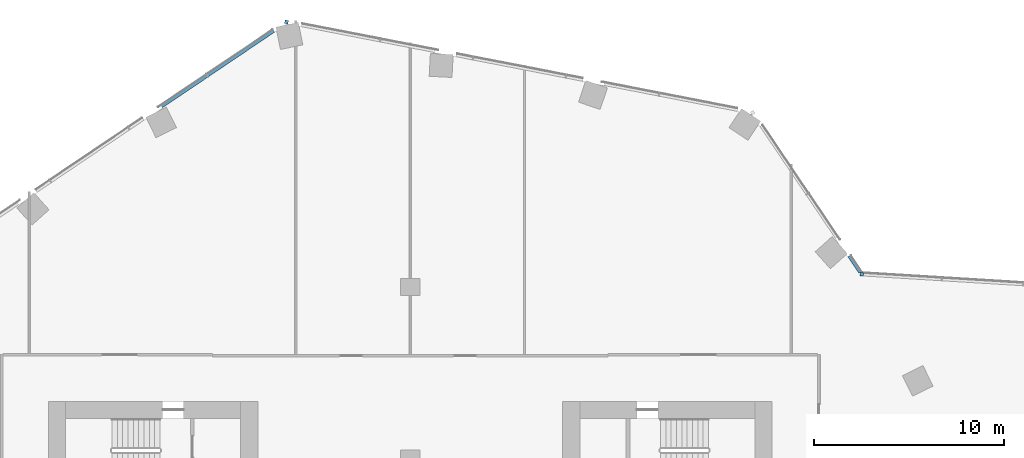
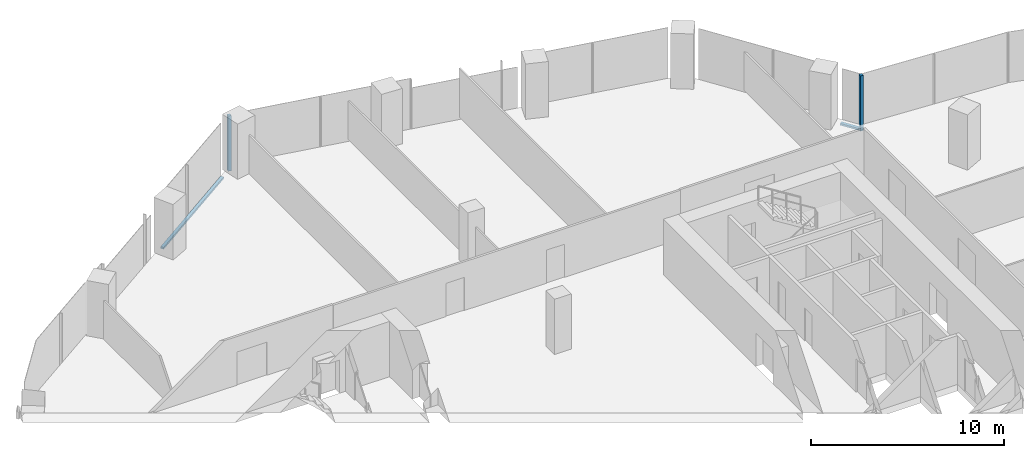
# One storey, part 10 of 25: 4 members, 4 elements without a shape of their own.
"""IFC4 building model written with IfcOpenShell, lengths in metres."""

from ifc_helpers import new_model, si_unit, direction, frame, origin, origin_2d, place, context, subcontext, project, spatial, rectangle, extrude, material, material_profile, profile_set, type_object, element, aggregate, save


model = new_model("IFC4")

# Units and contexts
model_context = context("Model", 3, precision=1e-05, world=origin(), true_north=direction((0.0, 1.0)))
body_context = subcontext(model_context, "Body", "Model", "MODEL_VIEW")
ifc_project = project(units=[si_unit("LENGTHUNIT", "METRE"), si_unit("AREAUNIT", "SQUARE_METRE"), si_unit("VOLUMEUNIT", "CUBIC_METRE"), si_unit("PLANEANGLEUNIT", "RADIAN"), si_unit("MASSUNIT", "GRAM", prefix="KILO")], contexts=[model_context])

# Site, building, storey
site_placement = place(None, origin())
site = spatial("IfcSite", under=ifc_project, at=site_placement, CompositionType="ELEMENT")
building_placement = place(site_placement, origin())
building = spatial("IfcBuilding", under=site, at=building_placement, Name="Orlundy Tower", CompositionType="ELEMENT")
storey_placement = place(building_placement, frame((0.0, 0.0, 159.60009765625)))
storey = spatial("IfcBuildingStorey", under=building, at=storey_placement, Name="L41", CompositionType="ELEMENT", Elevation=159.60009765625)

# Curtain wall, member
ifc_material_1 = material(Name="Aluminium bronze anodised", Category="aluminium")
curtain_wall_type = type_object("IfcCurtainWallType", Name="CW1 wall", PredefinedType="NOTDEFINED", material=ifc_material_1)
curtain_wall_1_placement = place(storey_placement, origin())
curtain_wall_1 = element("IfcCurtainWall", 1, at=curtain_wall_1_placement, inside=storey, type_object=curtain_wall_type, Name="CW1 run 04", PredefinedType="NOTDEFINED")
ifc_material_2 = material(Name="Aluminium bronze anodised", Category="aluminium")
ifc_material_profile_1 = material_profile(ifc_material_2, rectangle(XDim=0.179931640625, YDim=0.179931640625, at=origin_2d()), Name="CW1 corner post 180x180")
ifc_profile_set_1 = profile_set([ifc_material_profile_1], Name="Aluminium bronze anodised")
member_type_1 = type_object("IfcMemberType", Name="CW1 corner post 180x180", PredefinedType="MULLION", material=ifc_profile_set_1)
member_1_placement = place(storey_placement, frame((-6.493408203125, 31.91552734375, -0.400146484375), z_axis=(0.0, 0.0, 1.0), x_axis=(0.19080503976, 0.981627952333, 0.0)))
member_1 = element("IfcMember", 2, at=member_1_placement, type_object=member_type_1, Name="CW1 mullion 19", PredefinedType="MULLION", context=body_context, shape_type="SweptSolid", body=[
    extrude(rectangle(XDim=0.179931640625, YDim=0.179931640625, at=origin_2d()), origin(), (0.0, 0.0, 1.0), 3.5),
])
aggregate(curtain_wall_1, [member_1])

curtain_wall_2_placement = place(storey_placement, origin())
curtain_wall_2 = element("IfcCurtainWall", 3, at=curtain_wall_2_placement, inside=storey, type_object=curtain_wall_type, Name="CW1 run 06", PredefinedType="NOTDEFINED")
member_2_placement = place(storey_placement, frame((23.69677734375, 18.67822265625, -0.400146484375), z_axis=(0.0, 0.0, 1.0), x_axis=(0.061064785376, 0.998133804651, 0.0)))
member_2 = element("IfcMember", 4, at=member_2_placement, type_object=member_type_1, Name="CW1 mullion 26", PredefinedType="MULLION", context=body_context, shape_type="SweptSolid", body=[
    extrude(rectangle(XDim=0.179931640625, YDim=0.179931640625, at=origin_2d()), origin(), (0.0, 0.0, 1.0), 3.5),
])
aggregate(curtain_wall_2, [member_2])

curtain_wall_3_placement = place(storey_placement, origin())
curtain_wall_3 = element("IfcCurtainWall", 5, at=curtain_wall_3_placement, inside=storey, type_object=curtain_wall_type, Name="CW1 run 03", PredefinedType="NOTDEFINED")
ifc_material_3 = material(Name="Aluminium bronze anodised", Category="aluminium")
ifc_material_profile_2 = material_profile(ifc_material_3, rectangle(XDim=0.179931640625, YDim=0.1201171875, at=origin_2d()), Name="CW1 transom 180x120")
ifc_profile_set_2 = profile_set([ifc_material_profile_2], Name="Aluminium bronze anodised")
member_type_2 = type_object("IfcMemberType", Name="CW1 transom 180x120", PredefinedType="USERDEFINED", material=ifc_profile_set_2)
member_3_placement = place(storey_placement, frame((-13.05615234375, 27.48876953125, -0.340087890625), z_axis=(0.829040638781, 0.559188357576, 0.0), x_axis=(-0.559188357576, 0.829040638781, 0.0)))
member_3 = element("IfcMember", 6, at=member_3_placement, type_object=member_type_2, Name="CW1 transom", ObjectType="TRANSOM", PredefinedType="USERDEFINED", context=body_context, shape_type="SweptSolid", body=[
    extrude(rectangle(XDim=0.179931640625, YDim=0.1201171875, at=origin_2d()), origin(), (0.0, 0.0, 1.0), 7.104736328125),
])
aggregate(curtain_wall_3, [member_3])

curtain_wall_4_placement = place(storey_placement, origin())
curtain_wall_4 = element("IfcCurtainWall", 7, at=curtain_wall_4_placement, inside=storey, type_object=curtain_wall_type, Name="CW1 run 05", PredefinedType="NOTDEFINED")
member_4_placement = place(storey_placement, frame((23.0458984375, 19.64306640625, -0.340087890625), z_axis=(0.559197395463, -0.82903454265, 0.0), x_axis=(0.82903454265, 0.559197395463, 0.0)))
member_4 = element("IfcMember", 8, at=member_4_placement, type_object=member_type_2, Name="CW1 transom", ObjectType="TRANSOM", PredefinedType="USERDEFINED", context=body_context, shape_type="SweptSolid", body=[
    extrude(rectangle(XDim=0.179931640625, YDim=0.1201171875, at=origin_2d()), origin(), (0.0, 0.0, 1.0), 1.050537109375),
])
aggregate(curtain_wall_4, [member_4])

save(model, "model.ifc")
